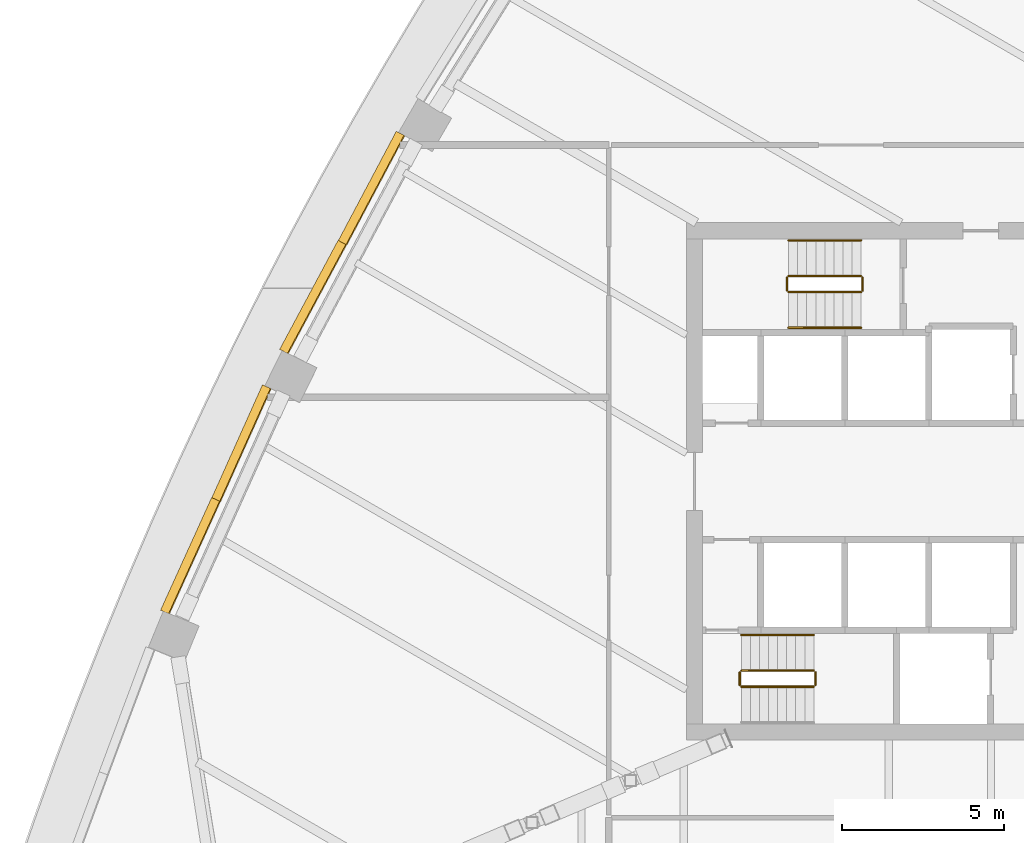
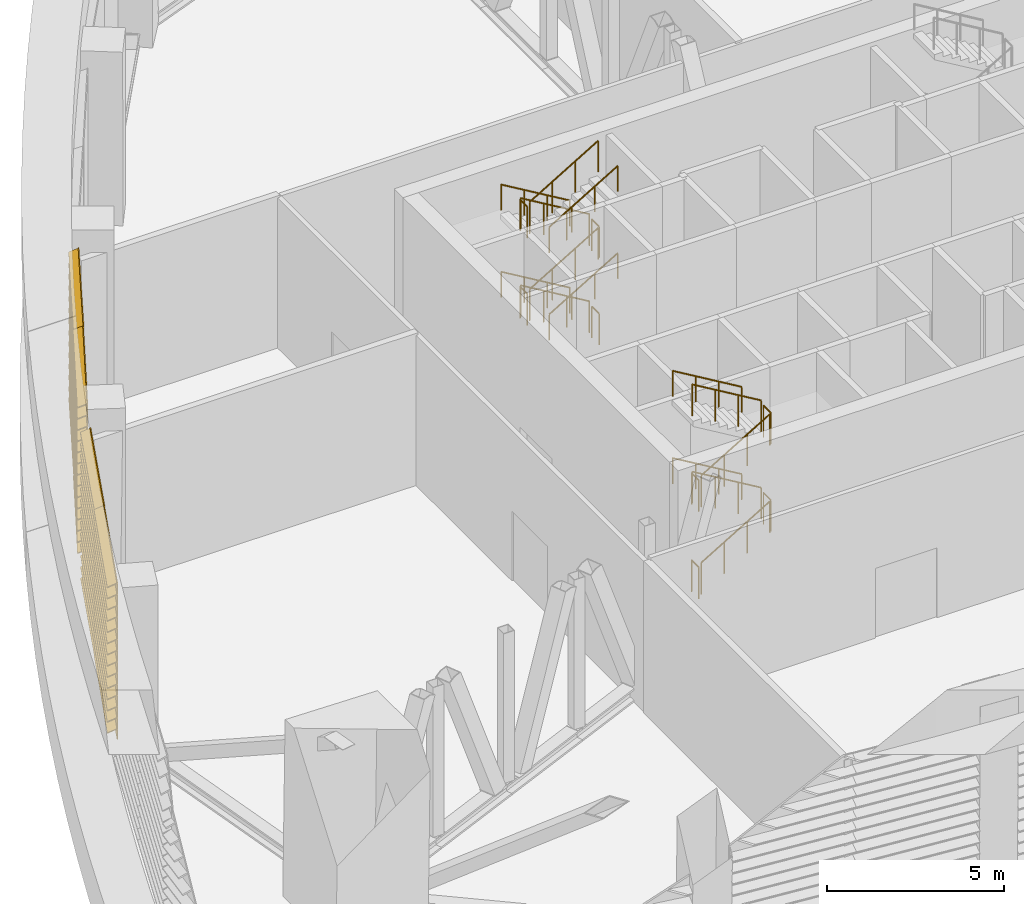
# One storey, part 13 of 18: 22 railings, 4 shading devices.
"""IFC4 building model written with IfcOpenShell, lengths in metres."""

from ifc_helpers import new_model, si_unit, direction, frame, origin, origin_2d, place, context, subcontext, project, spatial, polyline, circle, outline, extrude, material, type_object, element, save


model = new_model("IFC4")

# Units and contexts
model_context = context("Model", 3, precision=1e-05, world=origin(), true_north=direction((0.0, 1.0)))
body_context = subcontext(model_context, "Body", "Model", "MODEL_VIEW")
ifc_project = project(units=[si_unit("LENGTHUNIT", "METRE"), si_unit("AREAUNIT", "SQUARE_METRE"), si_unit("VOLUMEUNIT", "CUBIC_METRE"), si_unit("PLANEANGLEUNIT", "RADIAN"), si_unit("MASSUNIT", "GRAM", prefix="KILO")], contexts=[model_context])

# Site, building, storey
site_placement = place(None, origin())
site = spatial("IfcSite", under=ifc_project, at=site_placement, CompositionType="ELEMENT")
building_placement = place(site_placement, origin())
building = spatial("IfcBuilding", under=site, at=building_placement, Name="Sierra Prisma Convention Tower", CompositionType="ELEMENT")
storey_placement = place(building_placement, frame((0.0, 0.0, 112.60009765625)))
storey = spatial("IfcBuildingStorey", under=building, at=storey_placement, Name="L24", CompositionType="ELEMENT", Elevation=112.60009765625)

# Railings
ifc_material_1 = material(Name="Stainless steel", Category="steel")
railing_type_1 = type_object("IfcRailingType", Name="Exit stair handrail", PredefinedType="HANDRAIL", material=ifc_material_1)
for number, where, name in (
    (1, (-7.06005859375, -4.75, 1.66650390625), "L24 S1 stair handrail 2"),
    (2, (-7.06005859375, -4.75, 4.66650390625), "L24 S1 stair handrail 4"),
    (3, (-5.60009765625, 7.449951171875, 0.16650390625), "L24 S3 stair handrail 1"),
):
    element("IfcRailing", number, at=place(storey_placement, frame(where)), inside=storey, type_object=railing_type_1, Name=name, PredefinedType="HANDRAIL", context=body_context, shape_type="SweptSolid", body=[
        extrude(circle(Radius=0.02392578125, at=origin_2d()), frame((0.0, 0.0, 0.8759765625), z_axis=(-0.859264461869, 0.0, 0.511531606619), x_axis=(0.0, -1.0, 0.0)), (0.0, 0.0, 1.0), 2.60693359375),
        extrude(circle(Radius=0.02099609375, at=origin_2d()), origin(), (0.0, 0.0, 1.0), 0.851806640625),
        extrude(circle(Radius=0.02099609375, at=origin_2d()), frame((-0.74658203125, 0.0, 0.444580078125)), (0.0, 0.0, 1.0), 0.851806640625),
        extrude(circle(Radius=0.02099609375, at=origin_2d()), frame((-1.493408203125, 0.0, 0.888916015625)), (0.0, 0.0, 1.0), 0.851806640625),
        extrude(circle(Radius=0.02099609375, at=origin_2d()), frame((-2.239990234375, 0.0, 1.33349609375)), (0.0, 0.0, 1.0), 0.851806640625),
    ])
railing_1_placement = place(storey_placement, frame((-7.840087890625, 4.75, 1.66650390625)))
element("IfcRailing", 4, at=railing_1_placement, inside=storey, type_object=railing_type_1, Name="L24 S3 stair handrail 2", PredefinedType="HANDRAIL", context=body_context, shape_type="SweptSolid", body=[
    extrude(circle(Radius=0.02392578125, at=origin_2d()), frame((0.0, 0.0, 0.8759765625), z_axis=(0.859264461869, 0.0, 0.511531606619), x_axis=(0.0, 1.0, 0.0)), (0.0, 0.0, 1.0), 2.60693359375),
    extrude(circle(Radius=0.02099609375, at=origin_2d()), origin(), (0.0, 0.0, 1.0), 0.851806640625),
    extrude(circle(Radius=0.02099609375, at=origin_2d()), frame((0.74658203125, 0.0, 0.444580078125)), (0.0, 0.0, 1.0), 0.851806640625),
    extrude(circle(Radius=0.02099609375, at=origin_2d()), frame((1.493408203125, 0.0, 0.888916015625)), (0.0, 0.0, 1.0), 0.851806640625),
    extrude(circle(Radius=0.02099609375, at=origin_2d()), frame((2.239990234375, 0.0, 1.33349609375)), (0.0, 0.0, 1.0), 0.851806640625),
])
railing_2_placement = place(storey_placement, frame((-5.60009765625, 7.449951171875, 3.16650390625)))
element("IfcRailing", 5, at=railing_2_placement, inside=storey, type_object=railing_type_1, Name="L24 S3 stair handrail 3", PredefinedType="HANDRAIL", context=body_context, shape_type="SweptSolid", body=[
    extrude(circle(Radius=0.02392578125, at=origin_2d()), frame((0.0, 0.0, 0.8759765625), z_axis=(-0.859264461869, 0.0, 0.511531606619), x_axis=(0.0, -1.0, 0.0)), (0.0, 0.0, 1.0), 2.60693359375),
    extrude(circle(Radius=0.02099609375, at=origin_2d()), origin(), (0.0, 0.0, 1.0), 0.851806640625),
    extrude(circle(Radius=0.02099609375, at=origin_2d()), frame((-0.74658203125, 0.0, 0.444580078125)), (0.0, 0.0, 1.0), 0.851806640625),
    extrude(circle(Radius=0.02099609375, at=origin_2d()), frame((-1.493408203125, 0.0, 0.888916015625)), (0.0, 0.0, 1.0), 0.851806640625),
    extrude(circle(Radius=0.02099609375, at=origin_2d()), frame((-2.239990234375, 0.0, 1.33349609375)), (0.0, 0.0, 1.0), 0.851806640625),
])
railing_3_placement = place(storey_placement, frame((-7.840087890625, 4.75, 4.66650390625)))
element("IfcRailing", 6, at=railing_3_placement, inside=storey, type_object=railing_type_1, Name="L24 S3 stair handrail 4", PredefinedType="HANDRAIL", context=body_context, shape_type="SweptSolid", body=[
    extrude(circle(Radius=0.02392578125, at=origin_2d()), frame((0.0, 0.0, 0.8759765625), z_axis=(0.859264461869, 0.0, 0.511531606619), x_axis=(0.0, 1.0, 0.0)), (0.0, 0.0, 1.0), 2.60693359375),
    extrude(circle(Radius=0.02099609375, at=origin_2d()), origin(), (0.0, 0.0, 1.0), 0.851806640625),
    extrude(circle(Radius=0.02099609375, at=origin_2d()), frame((0.74658203125, 0.0, 0.444580078125)), (0.0, 0.0, 1.0), 0.851806640625),
    extrude(circle(Radius=0.02099609375, at=origin_2d()), frame((1.493408203125, 0.0, 0.888916015625)), (0.0, 0.0, 1.0), 0.851806640625),
    extrude(circle(Radius=0.02099609375, at=origin_2d()), frame((2.239990234375, 0.0, 1.33349609375)), (0.0, 0.0, 1.0), 0.851806640625),
])

# Shading devices
ifc_material_2 = material(Name="Aluminium 6063-T6 bronze anodised", Category="aluminium")
shading_device_type = type_object("IfcShadingDeviceType", Name="Louvre bay bronze", PredefinedType="USERDEFINED", material=ifc_material_2)
shading_device_1_placement = place(storey_placement, frame((-19.705078125, 10.684326171875, 0.0), z_axis=(0.468478767392, 0.883474756008, 0.0), x_axis=(0.0, 0.0, 1.0)))
element("IfcShadingDevice", 7, at=shading_device_1_placement, inside=storey, type_object=shading_device_type, Name="Louvre L24 NW4.1", ObjectType="LOUVRE", PredefinedType="USERDEFINED", context=body_context, shape_type="SweptSolid", body=[
    extrude(outline(polyline([(0.0, 0.0), (5.39990234375, 0.0), (5.39990234375, -0.029814102390179696), (5.3798828125, -0.029814102390179696), (5.260009765625, -0.2999187898107733), (5.22998046875, -0.2999187898107733), (5.349853515625, -0.029814102390179696), (5.01416015625, -0.029814102390179696), (4.994140625, -0.029814102390179696), (4.874267578125, -0.2999187898107733), (4.84423828125, -0.2999187898107733), (4.964111328125, -0.029814102390179696), (4.62841796875, -0.029814102390179696), (4.6083984375, -0.029814102390179696), (4.488525390625, -0.2999187898107733), (4.45849609375, -0.2999187898107733), (4.578369140625, -0.029814102390179696), (4.24267578125, -0.029814102390179696), (4.22265625, -0.029814102390179696), (4.102783203125, -0.2999187898107733), (4.07275390625, -0.2999187898107733), (4.19287109375, -0.029814102390179696), (3.85693359375, -0.029814102390179696), (3.837158203125, -0.029814102390179696), (3.717041015625, -0.2999187898107733), (3.68701171875, -0.2999187898107733), (3.80712890625, -0.029814102390179696), (3.471435546875, -0.029814102390179696), (3.451416015625, -0.029814102390179696), (3.331298828125, -0.2999187898107733), (3.30126953125, -0.2999187898107733), (3.42138671875, -0.029814102390179696), (3.085693359375, -0.029814102390179696), (3.065673828125, -0.029814102390179696), (2.945556640625, -0.2999187898107733), (2.91552734375, -0.2999187898107733), (3.03564453125, -0.029814102390179696), (2.699951171875, -0.029814102390179696), (2.679931640625, -0.029814102390179696), (2.559814453125, -0.2999187898107733), (2.52978515625, -0.2999187898107733), (2.64990234375, -0.029814102390179696), (2.314208984375, -0.029814102390179696), (2.294189453125, -0.029814102390179696), (2.174072265625, -0.2999187898107733), (2.144287109375, -0.2999187898107733), (2.26416015625, -0.029814102390179696), (1.928466796875, -0.029814102390179696), (1.908447265625, -0.029814102390179696), (1.78857421875, -0.2999187898107733), (1.758544921875, -0.2999187898107733), (1.87841796875, -0.029814102390179696), (1.542724609375, -0.029814102390179696), (1.522705078125, -0.029814102390179696), (1.40283203125, -0.2999187898107733), (1.372802734375, -0.2999187898107733), (1.49267578125, -0.029814102390179696), (1.156982421875, -0.029814102390179696), (1.136962890625, -0.029814102390179696), (1.01708984375, -0.2999187898107733), (0.987060546875, -0.2999187898107733), (1.10693359375, -0.029814102390179696), (0.771240234375, -0.029814102390179696), (0.751220703125, -0.029814102390179696), (0.63134765625, -0.2999187898107733), (0.601318359375, -0.2999187898107733), (0.721435546875, -0.029814102390179696), (0.385498046875, -0.029814102390179696), (0.36572265625, -0.029814102390179696), (0.24560546875, -0.2999187898107733), (0.215576171875, -0.2999187898107733), (0.335693359375, -0.029814102390179696), (0.0, -0.029814102390179696), (0.0, 0.0)])), origin(), (0.0, 0.0, -1.0), 3.823486328125),
])
shading_device_2_placement = place(storey_placement, frame((-21.505126953125, 7.31103515625, 0.0), z_axis=(0.472215435392, 0.881483172033, 0.0), x_axis=(0.0, 0.0, 1.0)))
element("IfcShadingDevice", 8, at=shading_device_2_placement, inside=storey, type_object=shading_device_type, Name="Louvre L24 NW4.2", ObjectType="LOUVRE", PredefinedType="USERDEFINED", context=body_context, shape_type="SweptSolid", body=[
    extrude(outline(polyline([(0.0, 0.0), (5.39990234375, 0.0), (5.39990234375, -0.029928876423904113), (5.3798828125, -0.029928876423904113), (5.260009765625, -0.30003430067769865), (5.22998046875, -0.30003430067769865), (5.349853515625, -0.029928876423904113), (5.01416015625, -0.029928876423904113), (4.994140625, -0.029928876423904113), (4.874267578125, -0.30003430067769865), (4.84423828125, -0.30003430067769865), (4.964111328125, -0.029928876423904113), (4.62841796875, -0.029928876423904113), (4.6083984375, -0.029928876423904113), (4.488525390625, -0.30003430067769865), (4.45849609375, -0.30003430067769865), (4.578369140625, -0.029928876423904113), (4.24267578125, -0.029928876423904113), (4.22265625, -0.029928876423904113), (4.102783203125, -0.30003430067769865), (4.07275390625, -0.30003430067769865), (4.19287109375, -0.029928876423904113), (3.85693359375, -0.029928876423904113), (3.837158203125, -0.029928876423904113), (3.717041015625, -0.30003430067769865), (3.68701171875, -0.30003430067769865), (3.80712890625, -0.029928876423904113), (3.471435546875, -0.029928876423904113), (3.451416015625, -0.029928876423904113), (3.331298828125, -0.30003430067769865), (3.30126953125, -0.30003430067769865), (3.42138671875, -0.029928876423904113), (3.085693359375, -0.029928876423904113), (3.065673828125, -0.029928876423904113), (2.945556640625, -0.30003430067769865), (2.91552734375, -0.30003430067769865), (3.03564453125, -0.029928876423904113), (2.699951171875, -0.029928876423904113), (2.679931640625, -0.029928876423904113), (2.559814453125, -0.30003430067769865), (2.52978515625, -0.30003430067769865), (2.64990234375, -0.029928876423904113), (2.314208984375, -0.029928876423904113), (2.294189453125, -0.029928876423904113), (2.174072265625, -0.30003430067769865), (2.144287109375, -0.30003430067769865), (2.26416015625, -0.029928876423904113), (1.928466796875, -0.029928876423904113), (1.908447265625, -0.029928876423904113), (1.78857421875, -0.30003430067769865), (1.758544921875, -0.30003430067769865), (1.87841796875, -0.029928876423904113), (1.542724609375, -0.029928876423904113), (1.522705078125, -0.029928876423904113), (1.40283203125, -0.30003430067769865), (1.372802734375, -0.30003430067769865), (1.49267578125, -0.029928876423904113), (1.156982421875, -0.029928876423904113), (1.136962890625, -0.029928876423904113), (1.01708984375, -0.30003430067769865), (0.987060546875, -0.30003430067769865), (1.10693359375, -0.029928876423904113), (0.771240234375, -0.029928876423904113), (0.751220703125, -0.029928876423904113), (0.63134765625, -0.30003430067769865), (0.601318359375, -0.30003430067769865), (0.721435546875, -0.029928876423904113), (0.385498046875, -0.029928876423904113), (0.36572265625, -0.029928876423904113), (0.24560546875, -0.30003430067769865), (0.215576171875, -0.30003430067769865), (0.335693359375, -0.029928876423904113), (0.0, -0.029928876423904113), (0.0, 0.0)])), origin(), (0.0, 0.0, -1.0), 3.823486328125),
])
shading_device_3_placement = place(storey_placement, frame((-23.834228515625, 2.86181640625, 0.0), z_axis=(0.409065176158, 0.912505168015, 0.0), x_axis=(0.0, 0.0, 1.0)))
element("IfcShadingDevice", 9, at=shading_device_3_placement, inside=storey, type_object=shading_device_type, Name="Louvre L24 NW5.1", ObjectType="LOUVRE", PredefinedType="USERDEFINED", context=body_context, shape_type="SweptSolid", body=[
    extrude(outline(polyline([(0.0, 0.0), (5.39990234375, 0.0), (5.39990234375, -0.029944784576568708), (5.3798828125, -0.029944784576568708), (5.260009765625, -0.3001699724865871), (5.22998046875, -0.3001699724865871), (5.349853515625, -0.029944784576568708), (5.01416015625, -0.029944784576568708), (4.994140625, -0.029944784576568708), (4.874267578125, -0.3001699724865871), (4.84423828125, -0.3001699724865871), (4.964111328125, -0.029944784576568708), (4.62841796875, -0.029944784576568708), (4.6083984375, -0.029944784576568708), (4.488525390625, -0.3001699724865871), (4.45849609375, -0.3001699724865871), (4.578369140625, -0.029944784576568708), (4.24267578125, -0.029944784576568708), (4.22265625, -0.029944784576568708), (4.102783203125, -0.3001699724865871), (4.07275390625, -0.3001699724865871), (4.19287109375, -0.029944784576568708), (3.85693359375, -0.029944784576568708), (3.837158203125, -0.029944784576568708), (3.717041015625, -0.3001699724865871), (3.68701171875, -0.3001699724865871), (3.80712890625, -0.029944784576568708), (3.471435546875, -0.029944784576568708), (3.451416015625, -0.029944784576568708), (3.331298828125, -0.3001699724865871), (3.30126953125, -0.3001699724865871), (3.42138671875, -0.029944784576568708), (3.085693359375, -0.029944784576568708), (3.065673828125, -0.029944784576568708), (2.945556640625, -0.3001699724865871), (2.91552734375, -0.3001699724865871), (3.03564453125, -0.029944784576568708), (2.699951171875, -0.029944784576568708), (2.679931640625, -0.029944784576568708), (2.559814453125, -0.3001699724865871), (2.52978515625, -0.3001699724865871), (2.64990234375, -0.029944784576568708), (2.314208984375, -0.029944784576568708), (2.294189453125, -0.029944784576568708), (2.174072265625, -0.3001699724865871), (2.144287109375, -0.3001699724865871), (2.26416015625, -0.029944784576568708), (1.928466796875, -0.029944784576568708), (1.908447265625, -0.029944784576568708), (1.78857421875, -0.3001699724865871), (1.758544921875, -0.3001699724865871), (1.87841796875, -0.029944784576568708), (1.542724609375, -0.029944784576568708), (1.522705078125, -0.029944784576568708), (1.40283203125, -0.3001699724865871), (1.372802734375, -0.3001699724865871), (1.49267578125, -0.029944784576568708), (1.156982421875, -0.029944784576568708), (1.136962890625, -0.029944784576568708), (1.01708984375, -0.3001699724865871), (0.987060546875, -0.3001699724865871), (1.10693359375, -0.029944784576568708), (0.771240234375, -0.029944784576568708), (0.751220703125, -0.029944784576568708), (0.63134765625, -0.3001699724865871), (0.601318359375, -0.3001699724865871), (0.721435546875, -0.029944784576568708), (0.385498046875, -0.029944784576568708), (0.36572265625, -0.029944784576568708), (0.24560546875, -0.3001699724865871), (0.215576171875, -0.3001699724865871), (0.335693359375, -0.029944784576568708), (0.0, -0.029944784576568708), (0.0, 0.0)])), origin(), (0.0, 0.0, -1.0), 3.823486328125),
])
shading_device_4_placement = place(storey_placement, frame((-25.405517578125, -0.6240234375, 0.0), z_axis=(0.412873574462, 0.910788346166, 0.0), x_axis=(0.0, 0.0, 1.0)))
element("IfcShadingDevice", 10, at=shading_device_4_placement, inside=storey, type_object=shading_device_type, Name="Louvre L24 NW5.2", ObjectType="LOUVRE", PredefinedType="USERDEFINED", context=body_context, shape_type="SweptSolid", body=[
    extrude(outline(polyline([(0.0, 0.0), (5.39990234375, 0.0), (5.39990234375, -0.030045128678736113), (5.3798828125, -0.030045128678736113), (5.260009765625, -0.2999472907247859), (5.22998046875, -0.2999472907247859), (5.349853515625, -0.030045128678736113), (5.01416015625, -0.030045128678736113), (4.994140625, -0.030045128678736113), (4.874267578125, -0.2999472907247859), (4.84423828125, -0.2999472907247859), (4.964111328125, -0.030045128678736113), (4.62841796875, -0.030045128678736113), (4.6083984375, -0.030045128678736113), (4.488525390625, -0.2999472907247859), (4.45849609375, -0.2999472907247859), (4.578369140625, -0.030045128678736113), (4.24267578125, -0.030045128678736113), (4.22265625, -0.030045128678736113), (4.102783203125, -0.2999472907247859), (4.07275390625, -0.2999472907247859), (4.19287109375, -0.030045128678736113), (3.85693359375, -0.030045128678736113), (3.837158203125, -0.030045128678736113), (3.717041015625, -0.2999472907247859), (3.68701171875, -0.2999472907247859), (3.80712890625, -0.030045128678736113), (3.471435546875, -0.030045128678736113), (3.451416015625, -0.030045128678736113), (3.331298828125, -0.2999472907247859), (3.30126953125, -0.2999472907247859), (3.42138671875, -0.030045128678736113), (3.085693359375, -0.030045128678736113), (3.065673828125, -0.030045128678736113), (2.945556640625, -0.2999472907247859), (2.91552734375, -0.2999472907247859), (3.03564453125, -0.030045128678736113), (2.699951171875, -0.030045128678736113), (2.679931640625, -0.030045128678736113), (2.559814453125, -0.2999472907247859), (2.52978515625, -0.2999472907247859), (2.64990234375, -0.030045128678736113), (2.314208984375, -0.030045128678736113), (2.294189453125, -0.030045128678736113), (2.174072265625, -0.2999472907247859), (2.144287109375, -0.2999472907247859), (2.26416015625, -0.030045128678736113), (1.928466796875, -0.030045128678736113), (1.908447265625, -0.030045128678736113), (1.78857421875, -0.2999472907247859), (1.758544921875, -0.2999472907247859), (1.87841796875, -0.030045128678736113), (1.542724609375, -0.030045128678736113), (1.522705078125, -0.030045128678736113), (1.40283203125, -0.2999472907247859), (1.372802734375, -0.2999472907247859), (1.49267578125, -0.030045128678736113), (1.156982421875, -0.030045128678736113), (1.136962890625, -0.030045128678736113), (1.01708984375, -0.2999472907247859), (0.987060546875, -0.2999472907247859), (1.10693359375, -0.030045128678736113), (0.771240234375, -0.030045128678736113), (0.751220703125, -0.030045128678736113), (0.63134765625, -0.2999472907247859), (0.601318359375, -0.2999472907247859), (0.721435546875, -0.030045128678736113), (0.385498046875, -0.030045128678736113), (0.36572265625, -0.030045128678736113), (0.24560546875, -0.2999472907247859), (0.215576171875, -0.2999472907247859), (0.335693359375, -0.030045128678736113), (0.0, -0.030045128678736113), (0.0, 0.0)])), origin(), (0.0, 0.0, -1.0), 3.823486328125),
])

# Railings
ifc_material_3 = material(Name="Stainless steel", Category="steel")
railing_type_2 = type_object("IfcRailingType", Name="Stair guard 1100", PredefinedType="GUARDRAIL", material=ifc_material_3)
railing_4_placement = place(storey_placement, frame((-9.300048828125, -6.35009765625, 0.16650390625)))
element("IfcRailing", 11, at=railing_4_placement, inside=storey, type_object=railing_type_2, Name="L24 S1 stair guard 1", PredefinedType="GUARDRAIL", context=body_context, shape_type="SweptSolid", body=[
    extrude(circle(Radius=0.02392578125, at=origin_2d()), frame((0.0, 0.0, 1.076171875), z_axis=(0.859264461869, 0.0, 0.511531606619), x_axis=(0.0, 1.0, 0.0)), (0.0, 0.0, 1.0), 2.60693359375),
    extrude(circle(Radius=0.02099609375, at=origin_2d()), origin(), (0.0, 0.0, 1.0), 1.052001953125),
    extrude(circle(Radius=0.02099609375, at=origin_2d()), frame((0.74658203125, 0.0, 0.444580078125)), (0.0, 0.0, 1.0), 1.052001953125),
    extrude(circle(Radius=0.02099609375, at=origin_2d()), frame((1.493408203125, 0.0, 0.888916015625)), (0.0, 0.0, 1.0), 1.052001953125),
    extrude(circle(Radius=0.02099609375, at=origin_2d()), frame((2.239990234375, 0.0, 1.33349609375)), (0.0, 0.0, 1.0), 1.052001953125),
])
railing_5_placement = place(storey_placement, frame((-7.010009765625, -6.300048828125, 1.5)))
element("IfcRailing", 12, at=railing_5_placement, inside=storey, type_object=railing_type_2, Name="L24 S1 stair guard 2", PredefinedType="GUARDRAIL", context=body_context, shape_type="SweptSolid", body=[
    extrude(circle(Radius=0.02392578125, at=origin_2d()), frame((0.0, 0.0, 1.076171875), z_axis=(0.0, 1.0, 0.0), x_axis=(-1.0, 0.0, 0.0)), (0.0, 0.0, 1.0), 0.400146484375),
    extrude(circle(Radius=0.02099609375, at=origin_2d()), origin(), (0.0, 0.0, 1.0), 1.052001953125),
    extrude(circle(Radius=0.02099609375, at=origin_2d()), frame((0.0, 0.400146484375, 0.0)), (0.0, 0.0, 1.0), 1.052001953125),
])
railing_6_placement = place(storey_placement, frame((-7.06005859375, -5.85009765625, 1.66650390625)))
element("IfcRailing", 13, at=railing_6_placement, inside=storey, type_object=railing_type_2, Name="L24 S1 stair guard 3", PredefinedType="GUARDRAIL", context=body_context, shape_type="SweptSolid", body=[
    extrude(circle(Radius=0.02392578125, at=origin_2d()), frame((0.0, 0.0, 1.076171875), z_axis=(-0.859264461869, 0.0, 0.511531606619), x_axis=(0.0, -1.0, 0.0)), (0.0, 0.0, 1.0), 2.60693359375),
    extrude(circle(Radius=0.02099609375, at=origin_2d()), origin(), (0.0, 0.0, 1.0), 1.052001953125),
    extrude(circle(Radius=0.02099609375, at=origin_2d()), frame((-0.74658203125, 0.0, 0.444580078125)), (0.0, 0.0, 1.0), 1.052001953125),
    extrude(circle(Radius=0.02099609375, at=origin_2d()), frame((-1.493408203125, 0.0, 0.888916015625)), (0.0, 0.0, 1.0), 1.052001953125),
    extrude(circle(Radius=0.02099609375, at=origin_2d()), frame((-2.239990234375, 0.0, 1.33349609375)), (0.0, 0.0, 1.0), 1.052001953125),
])
railing_7_placement = place(storey_placement, frame((-9.35009765625, -6.300048828125, 3.0)))
element("IfcRailing", 14, at=railing_7_placement, inside=storey, type_object=railing_type_2, Name="L24 S1 stair guard 4", PredefinedType="GUARDRAIL", context=body_context, shape_type="SweptSolid", body=[
    extrude(circle(Radius=0.02392578125, at=origin_2d()), frame((0.0, 0.0, 1.076171875), z_axis=(0.0, 1.0, 0.0), x_axis=(-1.0, 0.0, 0.0)), (0.0, 0.0, 1.0), 0.400146484375),
    extrude(circle(Radius=0.02099609375, at=origin_2d()), origin(), (0.0, 0.0, 1.0), 1.052001953125),
    extrude(circle(Radius=0.02099609375, at=origin_2d()), frame((0.0, 0.400146484375, 0.0)), (0.0, 0.0, 1.0), 1.052001953125),
])
railing_8_placement = place(storey_placement, frame((-9.300048828125, -6.35009765625, 3.16650390625)))
element("IfcRailing", 15, at=railing_8_placement, inside=storey, type_object=railing_type_2, Name="L24 S1 stair guard 5", PredefinedType="GUARDRAIL", context=body_context, shape_type="SweptSolid", body=[
    extrude(circle(Radius=0.02392578125, at=origin_2d()), frame((0.0, 0.0, 1.076171875), z_axis=(0.859264461869, 0.0, 0.511531606619), x_axis=(0.0, 1.0, 0.0)), (0.0, 0.0, 1.0), 2.60693359375),
    extrude(circle(Radius=0.02099609375, at=origin_2d()), origin(), (0.0, 0.0, 1.0), 1.052001953125),
    extrude(circle(Radius=0.02099609375, at=origin_2d()), frame((0.74658203125, 0.0, 0.444580078125)), (0.0, 0.0, 1.0), 1.052001953125),
    extrude(circle(Radius=0.02099609375, at=origin_2d()), frame((1.493408203125, 0.0, 0.888916015625)), (0.0, 0.0, 1.0), 1.052001953125),
    extrude(circle(Radius=0.02099609375, at=origin_2d()), frame((2.239990234375, 0.0, 1.33349609375)), (0.0, 0.0, 1.0), 1.052001953125),
])
railing_9_placement = place(storey_placement, frame((-7.010009765625, -6.300048828125, 4.5)))
element("IfcRailing", 16, at=railing_9_placement, inside=storey, type_object=railing_type_2, Name="L24 S1 stair guard 6", PredefinedType="GUARDRAIL", context=body_context, shape_type="SweptSolid", body=[
    extrude(circle(Radius=0.02392578125, at=origin_2d()), frame((0.0, 0.0, 1.076171875), z_axis=(0.0, 1.0, 0.0), x_axis=(-1.0, 0.0, 0.0)), (0.0, 0.0, 1.0), 0.400146484375),
    extrude(circle(Radius=0.02099609375, at=origin_2d()), origin(), (0.0, 0.0, 1.0), 1.052001953125),
    extrude(circle(Radius=0.02099609375, at=origin_2d()), frame((0.0, 0.400146484375, 0.0)), (0.0, 0.0, 1.0), 1.052001953125),
])
railing_10_placement = place(storey_placement, frame((-7.06005859375, -5.85009765625, 4.66650390625)))
element("IfcRailing", 17, at=railing_10_placement, inside=storey, type_object=railing_type_2, Name="L24 S1 stair guard 7", PredefinedType="GUARDRAIL", context=body_context, shape_type="SweptSolid", body=[
    extrude(circle(Radius=0.02392578125, at=origin_2d()), frame((0.0, 0.0, 1.076171875), z_axis=(-0.859264461869, 0.0, 0.511531606619), x_axis=(0.0, -1.0, 0.0)), (0.0, 0.0, 1.0), 2.60693359375),
    extrude(circle(Radius=0.02099609375, at=origin_2d()), origin(), (0.0, 0.0, 1.0), 1.052001953125),
    extrude(circle(Radius=0.02099609375, at=origin_2d()), frame((-0.74658203125, 0.0, 0.444580078125)), (0.0, 0.0, 1.0), 1.052001953125),
    extrude(circle(Radius=0.02099609375, at=origin_2d()), frame((-1.493408203125, 0.0, 0.888916015625)), (0.0, 0.0, 1.0), 1.052001953125),
    extrude(circle(Radius=0.02099609375, at=origin_2d()), frame((-2.239990234375, 0.0, 1.33349609375)), (0.0, 0.0, 1.0), 1.052001953125),
])
railing_11_placement = place(storey_placement, frame((-9.35009765625, -6.300048828125, 0.0)))
element("IfcRailing", 18, at=railing_11_placement, inside=storey, type_object=railing_type_2, Name="L24 S1 stair guard 8", PredefinedType="GUARDRAIL", context=body_context, shape_type="SweptSolid", body=[
    extrude(circle(Radius=0.02392578125, at=origin_2d()), frame((0.0, 0.0, 1.076171875), z_axis=(0.0, 1.0, 0.0), x_axis=(-1.0, 0.0, 0.0)), (0.0, 0.0, 1.0), 0.400146484375),
    extrude(circle(Radius=0.02099609375, at=origin_2d()), origin(), (0.0, 0.0, 1.0), 1.052001953125),
    extrude(circle(Radius=0.02099609375, at=origin_2d()), frame((0.0, 0.400146484375, 0.0)), (0.0, 0.0, 1.0), 1.052001953125),
])
railing_12_placement = place(storey_placement, frame((-5.60009765625, 6.35009765625, 0.16650390625)))
element("IfcRailing", 19, at=railing_12_placement, inside=storey, type_object=railing_type_2, Name="L24 S3 stair guard 1", PredefinedType="GUARDRAIL", context=body_context, shape_type="SweptSolid", body=[
    extrude(circle(Radius=0.02392578125, at=origin_2d()), frame((0.0, 0.0, 1.076171875), z_axis=(-0.859264461869, 0.0, 0.511531606619), x_axis=(0.0, -1.0, 0.0)), (0.0, 0.0, 1.0), 2.60693359375),
    extrude(circle(Radius=0.02099609375, at=origin_2d()), origin(), (0.0, 0.0, 1.0), 1.052001953125),
    extrude(circle(Radius=0.02099609375, at=origin_2d()), frame((-0.74658203125, 0.0, 0.444580078125)), (0.0, 0.0, 1.0), 1.052001953125),
    extrude(circle(Radius=0.02099609375, at=origin_2d()), frame((-1.493408203125, 0.0, 0.888916015625)), (0.0, 0.0, 1.0), 1.052001953125),
    extrude(circle(Radius=0.02099609375, at=origin_2d()), frame((-2.239990234375, 0.0, 1.33349609375)), (0.0, 0.0, 1.0), 1.052001953125),
])
railing_13_placement = place(storey_placement, frame((-7.889892578125, 6.300048828125, 1.5)))
element("IfcRailing", 20, at=railing_13_placement, inside=storey, type_object=railing_type_2, Name="L24 S3 stair guard 2", PredefinedType="GUARDRAIL", context=body_context, shape_type="SweptSolid", body=[
    extrude(circle(Radius=0.02392578125, at=origin_2d()), frame((0.0, 0.0, 1.076171875), z_axis=(0.0, -1.0, 0.0), x_axis=(1.0, 0.0, 0.0)), (0.0, 0.0, 1.0), 0.400146484375),
    extrude(circle(Radius=0.02099609375, at=origin_2d()), origin(), (0.0, 0.0, 1.0), 1.052001953125),
    extrude(circle(Radius=0.02099609375, at=origin_2d()), frame((0.0, -0.400146484375, 0.0)), (0.0, 0.0, 1.0), 1.052001953125),
])
railing_14_placement = place(storey_placement, frame((-7.840087890625, 5.85009765625, 1.66650390625)))
element("IfcRailing", 21, at=railing_14_placement, inside=storey, type_object=railing_type_2, Name="L24 S3 stair guard 3", PredefinedType="GUARDRAIL", context=body_context, shape_type="SweptSolid", body=[
    extrude(circle(Radius=0.02392578125, at=origin_2d()), frame((0.0, 0.0, 1.076171875), z_axis=(0.859264461869, 0.0, 0.511531606619), x_axis=(0.0, 1.0, 0.0)), (0.0, 0.0, 1.0), 2.60693359375),
    extrude(circle(Radius=0.02099609375, at=origin_2d()), origin(), (0.0, 0.0, 1.0), 1.052001953125),
    extrude(circle(Radius=0.02099609375, at=origin_2d()), frame((0.74658203125, 0.0, 0.444580078125)), (0.0, 0.0, 1.0), 1.052001953125),
    extrude(circle(Radius=0.02099609375, at=origin_2d()), frame((1.493408203125, 0.0, 0.888916015625)), (0.0, 0.0, 1.0), 1.052001953125),
    extrude(circle(Radius=0.02099609375, at=origin_2d()), frame((2.239990234375, 0.0, 1.33349609375)), (0.0, 0.0, 1.0), 1.052001953125),
])
railing_15_placement = place(storey_placement, frame((-5.550048828125, 6.300048828125, 3.0)))
element("IfcRailing", 22, at=railing_15_placement, inside=storey, type_object=railing_type_2, Name="L24 S3 stair guard 4", PredefinedType="GUARDRAIL", context=body_context, shape_type="SweptSolid", body=[
    extrude(circle(Radius=0.02392578125, at=origin_2d()), frame((0.0, 0.0, 1.076171875), z_axis=(0.0, -1.0, 0.0), x_axis=(1.0, 0.0, 0.0)), (0.0, 0.0, 1.0), 0.400146484375),
    extrude(circle(Radius=0.02099609375, at=origin_2d()), origin(), (0.0, 0.0, 1.0), 1.052001953125),
    extrude(circle(Radius=0.02099609375, at=origin_2d()), frame((0.0, -0.400146484375, 0.0)), (0.0, 0.0, 1.0), 1.052001953125),
])
railing_16_placement = place(storey_placement, frame((-5.60009765625, 6.35009765625, 3.16650390625)))
element("IfcRailing", 23, at=railing_16_placement, inside=storey, type_object=railing_type_2, Name="L24 S3 stair guard 5", PredefinedType="GUARDRAIL", context=body_context, shape_type="SweptSolid", body=[
    extrude(circle(Radius=0.02392578125, at=origin_2d()), frame((0.0, 0.0, 1.076171875), z_axis=(-0.859264461869, 0.0, 0.511531606619), x_axis=(0.0, -1.0, 0.0)), (0.0, 0.0, 1.0), 2.60693359375),
    extrude(circle(Radius=0.02099609375, at=origin_2d()), origin(), (0.0, 0.0, 1.0), 1.052001953125),
    extrude(circle(Radius=0.02099609375, at=origin_2d()), frame((-0.74658203125, 0.0, 0.444580078125)), (0.0, 0.0, 1.0), 1.052001953125),
    extrude(circle(Radius=0.02099609375, at=origin_2d()), frame((-1.493408203125, 0.0, 0.888916015625)), (0.0, 0.0, 1.0), 1.052001953125),
    extrude(circle(Radius=0.02099609375, at=origin_2d()), frame((-2.239990234375, 0.0, 1.33349609375)), (0.0, 0.0, 1.0), 1.052001953125),
])
railing_17_placement = place(storey_placement, frame((-7.889892578125, 6.300048828125, 4.5)))
element("IfcRailing", 24, at=railing_17_placement, inside=storey, type_object=railing_type_2, Name="L24 S3 stair guard 6", PredefinedType="GUARDRAIL", context=body_context, shape_type="SweptSolid", body=[
    extrude(circle(Radius=0.02392578125, at=origin_2d()), frame((0.0, 0.0, 1.076171875), z_axis=(0.0, -1.0, 0.0), x_axis=(1.0, 0.0, 0.0)), (0.0, 0.0, 1.0), 0.400146484375),
    extrude(circle(Radius=0.02099609375, at=origin_2d()), origin(), (0.0, 0.0, 1.0), 1.052001953125),
    extrude(circle(Radius=0.02099609375, at=origin_2d()), frame((0.0, -0.400146484375, 0.0)), (0.0, 0.0, 1.0), 1.052001953125),
])
railing_18_placement = place(storey_placement, frame((-7.840087890625, 5.85009765625, 4.66650390625)))
element("IfcRailing", 25, at=railing_18_placement, inside=storey, type_object=railing_type_2, Name="L24 S3 stair guard 7", PredefinedType="GUARDRAIL", context=body_context, shape_type="SweptSolid", body=[
    extrude(circle(Radius=0.02392578125, at=origin_2d()), frame((0.0, 0.0, 1.076171875), z_axis=(0.859264461869, 0.0, 0.511531606619), x_axis=(0.0, 1.0, 0.0)), (0.0, 0.0, 1.0), 2.60693359375),
    extrude(circle(Radius=0.02099609375, at=origin_2d()), origin(), (0.0, 0.0, 1.0), 1.052001953125),
    extrude(circle(Radius=0.02099609375, at=origin_2d()), frame((0.74658203125, 0.0, 0.444580078125)), (0.0, 0.0, 1.0), 1.052001953125),
    extrude(circle(Radius=0.02099609375, at=origin_2d()), frame((1.493408203125, 0.0, 0.888916015625)), (0.0, 0.0, 1.0), 1.052001953125),
    extrude(circle(Radius=0.02099609375, at=origin_2d()), frame((2.239990234375, 0.0, 1.33349609375)), (0.0, 0.0, 1.0), 1.052001953125),
])
railing_19_placement = place(storey_placement, frame((-5.550048828125, 6.300048828125, 0.0)))
element("IfcRailing", 26, at=railing_19_placement, inside=storey, type_object=railing_type_2, Name="L24 S3 stair guard 8", PredefinedType="GUARDRAIL", context=body_context, shape_type="SweptSolid", body=[
    extrude(circle(Radius=0.02392578125, at=origin_2d()), frame((0.0, 0.0, 1.076171875), z_axis=(0.0, -1.0, 0.0), x_axis=(1.0, 0.0, 0.0)), (0.0, 0.0, 1.0), 0.400146484375),
    extrude(circle(Radius=0.02099609375, at=origin_2d()), origin(), (0.0, 0.0, 1.0), 1.052001953125),
    extrude(circle(Radius=0.02099609375, at=origin_2d()), frame((0.0, -0.400146484375, 0.0)), (0.0, 0.0, 1.0), 1.052001953125),
])

save(model, "model.ifc")
